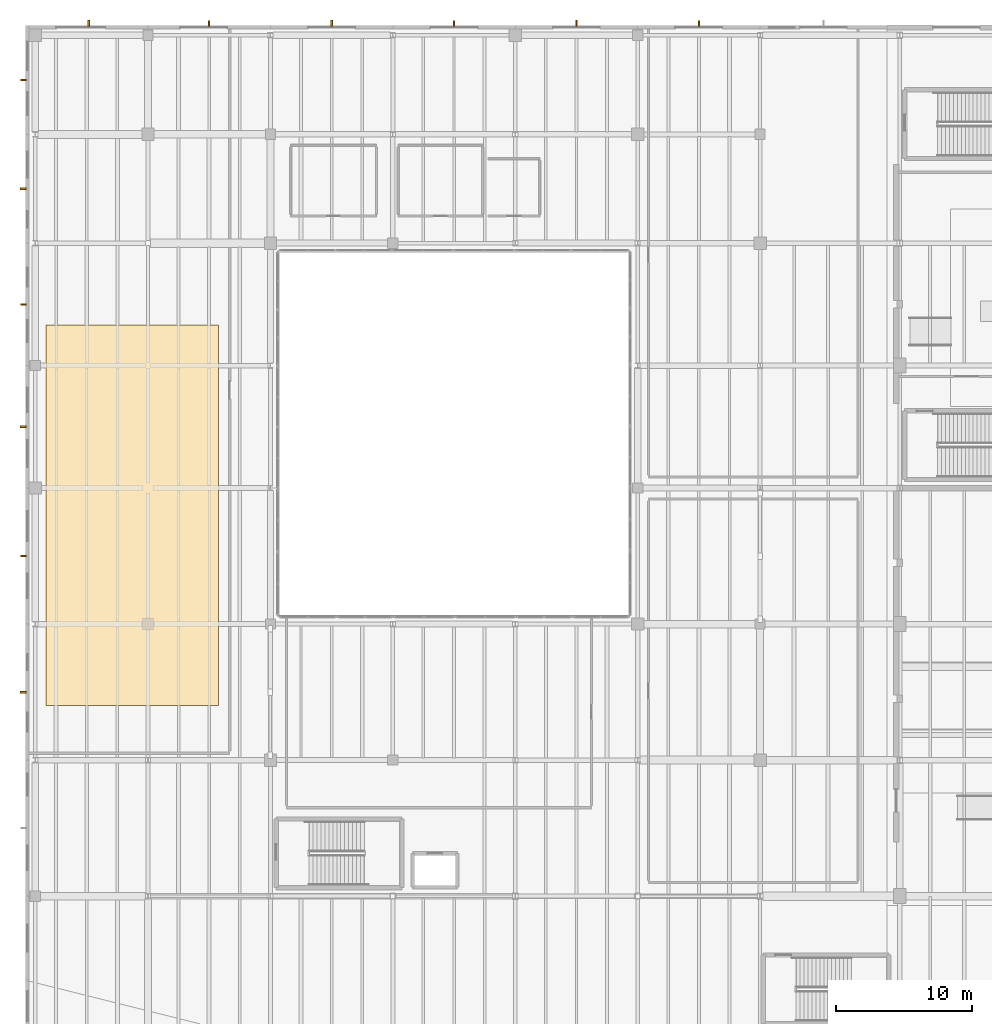
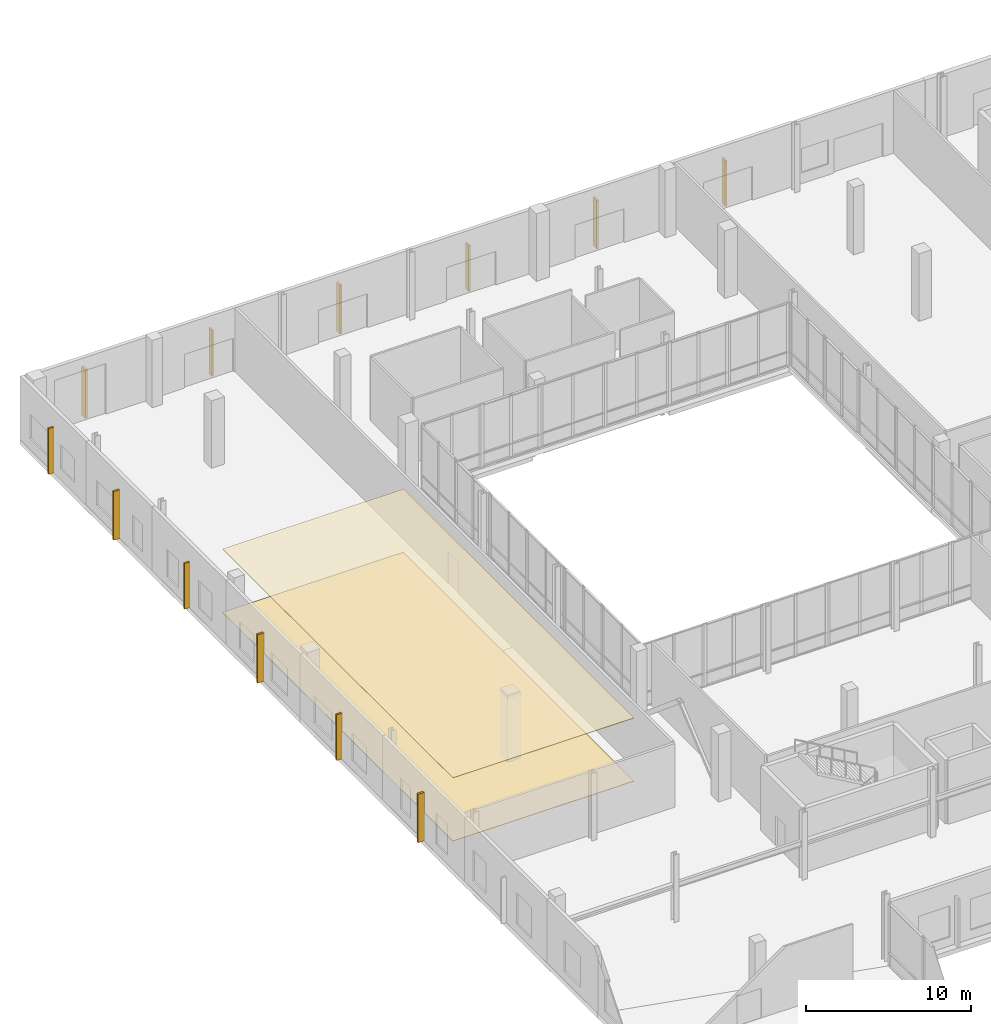
# One storey, part 81 of 88: 12 shading devices, 2 coverings.
"""IFC4 building model written with IfcOpenShell, lengths in metres."""

from ifc_helpers import new_model, si_unit, direction, frame, origin, origin_2d, place, context, subcontext, project, spatial, polyline, rectangle, outline, extrude, material, layer, layer_set, type_object, element, save


model = new_model("IFC4")

# Units and contexts
model_context = context("Model", 3, precision=1e-05, world=origin(), true_north=direction((0.0, 1.0)))
body_context = subcontext(model_context, "Body", "Model", "MODEL_VIEW")
ifc_project = project(units=[si_unit("LENGTHUNIT", "METRE"), si_unit("AREAUNIT", "SQUARE_METRE"), si_unit("VOLUMEUNIT", "CUBIC_METRE"), si_unit("PLANEANGLEUNIT", "RADIAN"), si_unit("MASSUNIT", "GRAM", prefix="KILO")], contexts=[model_context])

# Site, building, storey
site_placement = place(None, origin())
site = spatial("IfcSite", under=ifc_project, at=site_placement, CompositionType="ELEMENT")
building_placement = place(site_placement, origin())
building = spatial("IfcBuilding", under=site, at=building_placement, Name="Trimount Lyric Opera House", CompositionType="ELEMENT")
storey_placement = place(building_placement, origin())
storey = spatial("IfcBuildingStorey", under=building, at=storey_placement, Name="L00", CompositionType="ELEMENT", Elevation=0.0)

# Coverings
ifc_material_1 = material(Name="Micro-Perforated White Oak Acoustic Ceiling")
ifc_layer_1 = layer(ifc_material_1, 0.0400390625)
ifc_layer_set_1 = layer_set([ifc_layer_1], Name="CEIL-AC1")
covering_type_1 = type_object("IfcCoveringType", Name="CEIL-AC1", PredefinedType="CEILING", material=ifc_layer_set_1)
covering_1_placement = place(storey_placement, frame((0.0, 0.0, 4.679931640625)))
element("IfcCovering", 1, at=covering_1_placement, inside=storey, type_object=covering_type_1, Name="Orchestra Rehearsal Stage acoustic ceiling", PredefinedType="CEILING", context=body_context, shape_type="SweptSolid", body=[
    extrude(outline(polyline([(1.5, 68.0), (14.199951171875, 68.0), (14.199951171875, 96.0), (1.5, 96.0), (1.5, 68.0)])), origin(), (0.0, 0.0, 1.0), 0.0400390625),
])
ifc_material_2 = material(Name="Sprung European Oak Stage and Rehearsal Flooring")
ifc_layer_2 = layer(ifc_material_2, 0.028076171875)
ifc_layer_set_2 = layer_set([ifc_layer_2], Name="FLR-OAK1")
covering_type_2 = type_object("IfcCoveringType", Name="FLR-OAK1", PredefinedType="FLOORING", material=ifc_layer_set_2)
covering_2_placement = place(storey_placement, origin())
element("IfcCovering", 2, at=covering_2_placement, inside=storey, type_object=covering_type_2, Name="Orchestra Rehearsal Stage finish flooring", PredefinedType="FLOORING", context=body_context, shape_type="SweptSolid", body=[
    extrude(outline(polyline([(1.5, 68.0), (14.199951171875, 68.0), (14.199951171875, 96.0), (1.5, 96.0), (1.5, 68.0)])), origin(), (0.0, 0.0, 1.0), 0.028076171875),
])

# Shading devices
ifc_material_3 = material(Name="Extruded Bronze Vertical Acoustic Fin")
shading_device_type_1 = type_object("IfcShadingDeviceType", Name="SHD-FIN1", PredefinedType="USERDEFINED", material=ifc_material_3)
for number, where, z_axis, x_axis, name in (
    (3, (-0.179931640625, 69.0, 0.0), (0.0, 0.0, 1.0), (1.0, 0.0, 0.0), "Vertical architectural facade fin 005"),
    (4, (-0.179931640625, 88.5, 0.0), (0.0, 0.0, 1.0), (1.0, 0.0, 0.0), "Vertical architectural facade fin 007"),
    (5, (-0.179931640625, 106.0, 0.0), (0.0, 0.0, 1.0), (1.0, 0.0, 0.0), "Vertical architectural facade fin 009"),
):
    element("IfcShadingDevice", number, at=place(storey_placement, frame(where, z_axis=z_axis, x_axis=x_axis)), inside=storey, type_object=shading_device_type_1, Name=name, ObjectType="FIN", PredefinedType="USERDEFINED", context=body_context, shape_type="SweptSolid", body=[
        extrude(rectangle(XDim=0.449951171875, YDim=0.139892578125, at=origin_2d()), origin(), (0.0, 0.0, 1.0), 3.60009765625),
    ])
for number, where, z_axis, x_axis, name in (
    (6, (4.635009765625, 118.179931640625, 0.0), (0.0, 0.0, 1.0), (1.0, 0.0, 0.0), "Vertical architectural facade fin 011"),
    (7, (22.5, 118.179931640625, 0.0), (0.0, 0.0, 1.0), (1.0, 0.0, 0.0), "Vertical architectural facade fin 013"),
    (8, (40.5, 118.179931640625, 0.0), (0.0, 0.0, 1.0), (1.0, 0.0, 0.0), "Vertical architectural facade fin 015"),
):
    element("IfcShadingDevice", number, at=place(storey_placement, frame(where, z_axis=z_axis, x_axis=x_axis)), inside=storey, type_object=shading_device_type_1, Name=name, ObjectType="FIN", PredefinedType="USERDEFINED", context=body_context, shape_type="SweptSolid", body=[
        extrude(rectangle(XDim=0.139892578125, YDim=0.449951171875, at=origin_2d()), origin(), (0.0, 0.0, 1.0), 3.60009765625),
    ])
ifc_material_4 = material(Name="Extruded White Aluminium Sun Fin", Category="aluminium")
shading_device_type_2 = type_object("IfcShadingDeviceType", Name="SHD-FIN2", PredefinedType="USERDEFINED", material=ifc_material_4)
for number, where, z_axis, x_axis, name in (
    (9, (-0.14501953125, 79.0, 0.0), (0.0, 0.0, 1.0), (1.0, 0.0, 0.0), "Vertical architectural facade fin 006"),
    (10, (-0.14501953125, 97.5, 0.0), (0.0, 0.0, 1.0), (1.0, 0.0, 0.0), "Vertical architectural facade fin 008"),
    (11, (-0.14501953125, 114.0, 0.0), (0.0, 0.0, 1.0), (1.0, 0.0, 0.0), "Vertical architectural facade fin 010"),
):
    element("IfcShadingDevice", number, at=place(storey_placement, frame(where, z_axis=z_axis, x_axis=x_axis)), inside=storey, type_object=shading_device_type_2, Name=name, ObjectType="FIN", PredefinedType="USERDEFINED", context=body_context, shape_type="SweptSolid", body=[
        extrude(rectangle(XDim=0.3798828125, YDim=0.1201171875, at=origin_2d()), origin(), (0.0, 0.0, 1.0), 3.39990234375),
    ])
for number, where, z_axis, x_axis, name in (
    (12, (13.5, 118.14501953125, 0.0), (0.0, 0.0, 1.0), (1.0, 0.0, 0.0), "Vertical architectural facade fin 012"),
    (13, (31.5, 118.14501953125, 0.0), (0.0, 0.0, 1.0), (1.0, 0.0, 0.0), "Vertical architectural facade fin 014"),
    (14, (49.5, 118.14501953125, 0.0), (0.0, 0.0, 1.0), (1.0, 0.0, 0.0), "Vertical architectural facade fin 016"),
):
    element("IfcShadingDevice", number, at=place(storey_placement, frame(where, z_axis=z_axis, x_axis=x_axis)), inside=storey, type_object=shading_device_type_2, Name=name, ObjectType="FIN", PredefinedType="USERDEFINED", context=body_context, shape_type="SweptSolid", body=[
        extrude(rectangle(XDim=0.1201171875, YDim=0.3798828125, at=origin_2d()), origin(), (0.0, 0.0, 1.0), 3.39990234375),
    ])

save(model, "model.ifc")
